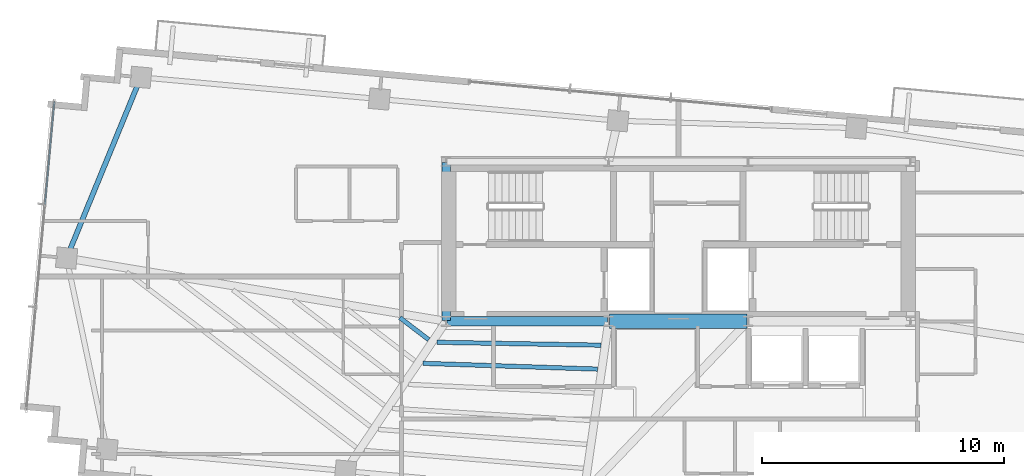
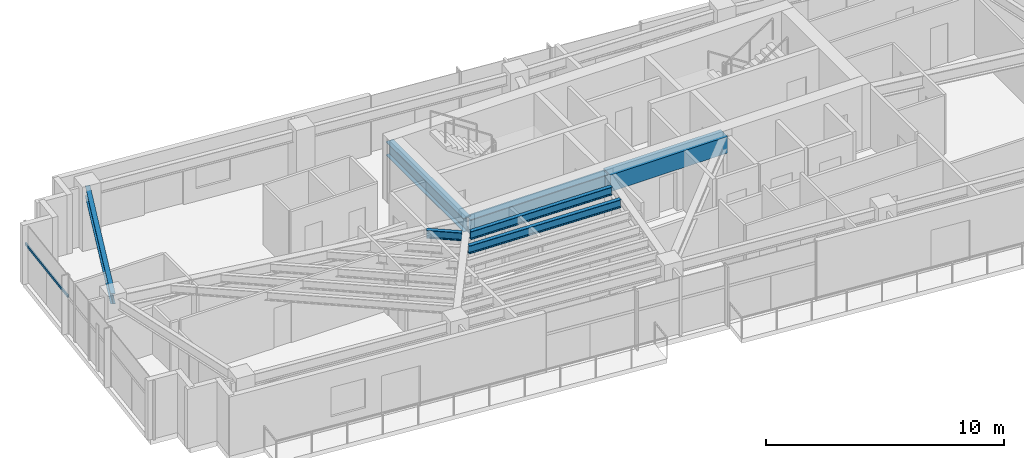
# One storey, part 8 of 22: 7 beams, 1 member, 1 element without a shape of its own.
"""IFC4 building model written with IfcOpenShell, lengths in metres."""

from ifc_helpers import new_model, si_unit, direction, frame, origin, origin_2d, place, context, subcontext, project, spatial, rectangle, hollow_rectangle, i_section, extrude, source, transform, mapped, material, material_profile, profile_set, type_object, type_shapes, element, aggregate, save


model = new_model("IFC4")

# Units and contexts
model_context = context("Model", 3, precision=1e-05, world=origin(), true_north=direction((0.0, 1.0)))
body_context = subcontext(model_context, "Body", "Model", "MODEL_VIEW")
ifc_project = project(units=[si_unit("LENGTHUNIT", "METRE"), si_unit("AREAUNIT", "SQUARE_METRE"), si_unit("VOLUMEUNIT", "CUBIC_METRE"), si_unit("PLANEANGLEUNIT", "RADIAN"), si_unit("MASSUNIT", "GRAM", prefix="KILO")], contexts=[model_context])

# Site, building, storey
site_placement = place(None, origin())
site = spatial("IfcSite", under=ifc_project, at=site_placement, CompositionType="ELEMENT")
building_placement = place(site_placement, origin())
building = spatial("IfcBuilding", under=site, at=building_placement, Name="Astriad Promenade Condominiums", CompositionType="ELEMENT")
storey_placement = place(building_placement, frame((0.0, 0.0, 252.89990234375)))
storey = spatial("IfcBuildingStorey", under=building, at=storey_placement, Name="L73", CompositionType="ELEMENT", Elevation=252.89990234375)

# Beams
ifc_material_1 = material(Name="Steel ASTM A992 Grade 50", Category="steel")
ifc_material_profile_1 = material_profile(ifc_material_1, i_section(OverallWidth=0.3837890625, OverallDepth=0.785888671875, WebThickness=0.019775390625, FlangeThickness=0.033447265625, FilletRadius=0.021484375, at=origin_2d()), Name="W30X211")
ifc_profile_set_1 = profile_set([ifc_material_profile_1], Name="Steel ASTM A992 Grade 50")
beam_type_1 = type_object("IfcBeamType", Name="STEEL FLOOR GIRDER W30X211", PredefinedType="BEAM", material=ifc_profile_set_1)
shared_shape_1 = source(origin(), body_context, "Body", "SweptSolid", [
    extrude(i_section(OverallWidth=0.3837890625, OverallDepth=0.785888671875, WebThickness=0.019775390625, FlangeThickness=0.033447265625, FilletRadius=0.021484375, at=origin_2d()), origin(), (0.0, 0.0, 1.0), 6.64013671875),
])
type_shapes(beam_type_1, [shared_shape_1])
beam_1_placement = place(storey_placement, frame((26.43994140625, 17.39990234375, 2.647216796875), z_axis=(1.0, 0.0, 0.0), x_axis=(0.0, 1.0, 0.0)))
element("IfcBeam", 1, at=beam_1_placement, inside=storey, type_object=beam_type_1, Name="Core Ring Beam CG-S1-L73", PredefinedType="BEAM", context=body_context, shape_type="MappedRepresentation", body=[
    mapped(shared_shape_1, transform((0.0, 0.0, 0.0), scale=1.0)),
])
ifc_material_profile_2 = material_profile(ifc_material_1, i_section(OverallWidth=0.35791015625, OverallDepth=0.706298828125, WebThickness=0.018310546875, FlangeThickness=0.0302734375, FilletRadius=0.020263671875, at=origin_2d()), Name="W27X178")
ifc_profile_set_2 = profile_set([ifc_material_profile_2], Name="Steel ASTM A992 Grade 50")
beam_type_2 = type_object("IfcBeamType", Name="STEEL FLOOR GIRDER W27X178", PredefinedType="BEAM", material=ifc_profile_set_2)
shared_shape_2 = source(origin(), body_context, "Body", "SweptSolid", [
    extrude(i_section(OverallWidth=0.35791015625, OverallDepth=0.706298828125, WebThickness=0.018310546875, FlangeThickness=0.0302734375, FilletRadius=0.020263671875, at=origin_2d()), origin(), (0.0, 0.0, 1.0), 6.52001953125),
])
type_shapes(beam_type_2, [shared_shape_2])
beam_2_placement = place(storey_placement, frame((26.39990234375, 17.43994140625, 2.68701171875), z_axis=(0.0, 1.0, 0.0), x_axis=(-1.0, 0.0, 0.0)))
element("IfcBeam", 2, at=beam_2_placement, inside=storey, type_object=beam_type_2, Name="Core Ring Beam CG-W1-L73", PredefinedType="BEAM", context=body_context, shape_type="MappedRepresentation", body=[
    mapped(shared_shape_2, transform((0.0, 0.0, 0.0), scale=1.0)),
])
ifc_material_2 = material(Name="Concrete C60/75", Category="concrete")
ifc_material_profile_3 = material_profile(ifc_material_2, rectangle(XDim=0.60009765625, YDim=0.85009765625, at=origin_2d()), Name="RC-BM-600X850")
ifc_profile_set_3 = profile_set([ifc_material_profile_3], Name="Concrete C60/75")
beam_type_3 = type_object("IfcBeamType", Name="CONCRETE CORE COUPLING LINTEL 600X850", PredefinedType="LINTEL", material=ifc_profile_set_3)
shared_shape_3 = source(origin(), body_context, "Body", "SweptSolid", [
    extrude(rectangle(XDim=0.60009765625, YDim=0.85009765625, at=origin_2d()), origin(), (0.0, 0.0, 1.0), 5.68017578125),
])
type_shapes(beam_type_3, [shared_shape_3])
beam_3_placement = place(storey_placement, frame((33.159912109375, 17.39990234375, 2.614990234375), z_axis=(1.0, 0.0, 0.0), x_axis=(0.0, 1.0, 0.0)))
element("IfcBeam", 3, at=beam_3_placement, inside=storey, type_object=beam_type_3, Name="Core Ring Beam CG-S2-L73", PredefinedType="LINTEL", context=body_context, shape_type="MappedRepresentation", body=[
    mapped(shared_shape_3, transform((0.0, 0.0, 0.0), scale=1.0)),
])
ifc_material_profile_4 = material_profile(ifc_material_1, i_section(OverallWidth=0.210693359375, OverallDepth=0.53955078125, WebThickness=0.01171875, FlangeThickness=0.018798828125, FilletRadius=0.0166015625, at=origin_2d()), Name="W21X73")
ifc_profile_set_4 = profile_set([ifc_material_profile_4], Name="Steel ASTM A992 Grade 50")
beam_type_4 = type_object("IfcBeamType", Name="STEEL SPANDREL BEAM W21X73", PredefinedType="SPANDREL", material=ifc_profile_set_4)
shared_shape_4 = source(origin(), body_context, "Body", "SweptSolid", [
    extrude(i_section(OverallWidth=0.210693359375, OverallDepth=0.53955078125, WebThickness=0.01171875, FlangeThickness=0.018798828125, FilletRadius=0.0166015625, at=origin_2d()), origin(), (0.0, 0.0, 1.0), 7.998779296875),
])
type_shapes(beam_type_4, [shared_shape_4])
beam_4_placement = place(storey_placement, frame((13.76611328125, 27.44580078125, 2.7705078125), z_axis=(-0.38000513148, -0.924984378273, 0.0), x_axis=(0.924984378273, -0.38000513148, 0.0)))
element("IfcBeam", 4, at=beam_4_placement, inside=storey, type_object=beam_type_4, Name="Perimeter Spandrel Beam SP-W2-L73", PredefinedType="SPANDREL", context=body_context, shape_type="MappedRepresentation", body=[
    mapped(shared_shape_4, transform((0.0, 0.0, 0.0), scale=1.0)),
])
ifc_material_profile_5 = material_profile(ifc_material_1, i_section(OverallWidth=0.180908203125, OverallDepth=0.417236328125, WebThickness=0.010986328125, FlangeThickness=0.018310546875, FilletRadius=0.013916015625, at=origin_2d()), Name="W16X57")
ifc_profile_set_5 = profile_set([ifc_material_profile_5], Name="Steel ASTM A992 Grade 50")
beam_type_5 = type_object("IfcBeamType", Name="STEEL FLOOR JOIST W16X57", PredefinedType="JOIST", material=ifc_profile_set_5)
shared_shape_5 = source(origin(), body_context, "Body", "SweptSolid", [
    extrude(i_section(OverallWidth=0.180908203125, OverallDepth=0.417236328125, WebThickness=0.010986328125, FlangeThickness=0.018310546875, FilletRadius=0.013916015625, at=origin_2d()), origin(), (0.0, 0.0, 1.0), 1.497314453125),
])
beam_5_placement = place(storey_placement, frame((24.489501953125, 17.547119140625, 2.831298828125), z_axis=(0.79482500583, -0.606838701887, 0.0), x_axis=(0.606838701887, 0.79482500583, 0.0)))
element("IfcBeam", 5, at=beam_5_placement, inside=storey, type_object=beam_type_5, Name="Secondary Composite Floor Joist JW1-6-L73", PredefinedType="JOIST", context=body_context, shape_type="MappedRepresentation", body=[
    mapped(shared_shape_5, transform((0.0, 0.0, 0.0), scale=1.0)),
])
shared_shape_6 = source(origin(), body_context, "Body", "SweptSolid", [
    extrude(i_section(OverallWidth=0.180908203125, OverallDepth=0.417236328125, WebThickness=0.010986328125, FlangeThickness=0.018310546875, FilletRadius=0.013916015625, at=origin_2d()), origin(), (0.0, 0.0, 1.0), 7.226318359375),
])
beam_6_placement = place(storey_placement, frame((25.43798828125, 15.659912109375, 2.831298828125), z_axis=(0.999453981353, -0.033041476313, 0.0), x_axis=(0.033041476313, 0.999453981353, 0.0)))
element("IfcBeam", 6, at=beam_6_placement, inside=storey, type_object=beam_type_5, Name="Secondary Composite Floor Joist JCW-5-L73", PredefinedType="JOIST", context=body_context, shape_type="MappedRepresentation", body=[
    mapped(shared_shape_6, transform((0.0, 0.0, 0.0), scale=1.0)),
])
shared_shape_7 = source(origin(), body_context, "Body", "SweptSolid", [
    extrude(i_section(OverallWidth=0.180908203125, OverallDepth=0.417236328125, WebThickness=0.010986328125, FlangeThickness=0.018310546875, FilletRadius=0.013916015625, at=origin_2d()), origin(), (0.0, 0.0, 1.0), 6.781494140625),
])
type_shapes(beam_type_5, [shared_shape_5, shared_shape_6, shared_shape_7])
beam_7_placement = place(storey_placement, frame((26.022216796875, 16.52978515625, 2.831298828125), z_axis=(0.999845665325, -0.017568310398, 0.0), x_axis=(0.017568310398, 0.999845665325, 0.0)))
element("IfcBeam", 7, at=beam_7_placement, inside=storey, type_object=beam_type_5, Name="Secondary Composite Floor Joist JCW-6-L73", PredefinedType="JOIST", context=body_context, shape_type="MappedRepresentation", body=[
    mapped(shared_shape_7, transform((0.0, 0.0, 0.0), scale=1.0)),
])

# Curtain wall, member
ifc_material_3 = material(Name="Anodised aluminium Black Dark Glass Unitised", Category="aluminium")
curtain_wall_type = type_object("IfcCurtainWallType", Name="CW-B5-DARK", PredefinedType="USERDEFINED", material=ifc_material_3)
curtain_wall_placement = place(storey_placement, origin())
curtain_wall = element("IfcCurtainWall", 8, at=curtain_wall_placement, inside=storey, type_object=curtain_wall_type, Name="CW-L73-W", ObjectType="UNITISED_CURTAIN_WALL", PredefinedType="USERDEFINED")
ifc_material_4 = material(Name="Anodised aluminium 6063-T6 Black", Category="aluminium")
ifc_material_profile_6 = material_profile(ifc_material_4, hollow_rectangle(XDim=0.06494140625, YDim=0.1298828125, WallThickness=0.00390625, at=origin_2d()), Name="ALU-TRN-65X130")
ifc_profile_set_6 = profile_set([ifc_material_profile_6], Name="Anodised aluminium 6063-T6 Black")
member_type = type_object("IfcMemberType", Name="TRN-ALU-TRN-65X130", PredefinedType="USERDEFINED", material=ifc_profile_set_6)
shared_shape_8 = source(origin(), body_context, "Body", "SweptSolid", [
    extrude(hollow_rectangle(XDim=0.06494140625, YDim=0.1298828125, WallThickness=0.00390625, at=origin_2d()), origin(), (0.0, 0.0, 1.0), 4.2666015625),
])
type_shapes(member_type, [shared_shape_8])
member_placement = place(storey_placement, frame((9.819091796875, 22.233642578125, 1.885009765625), z_axis=(0.090638931954, 0.99588382054, 0.0), x_axis=(-0.99588382054, 0.090638931954, 0.0)))
member = element("IfcMember", 9, at=member_placement, type_object=member_type, Name="CW-L73-W-TRN-02-0", ObjectType="TRANSOM", PredefinedType="USERDEFINED", context=body_context, shape_type="MappedRepresentation", body=[
    mapped(shared_shape_8, transform((0.0, 0.0, 0.0), scale=1.0)),
])
aggregate(curtain_wall, [member])

save(model, "model.ifc")
